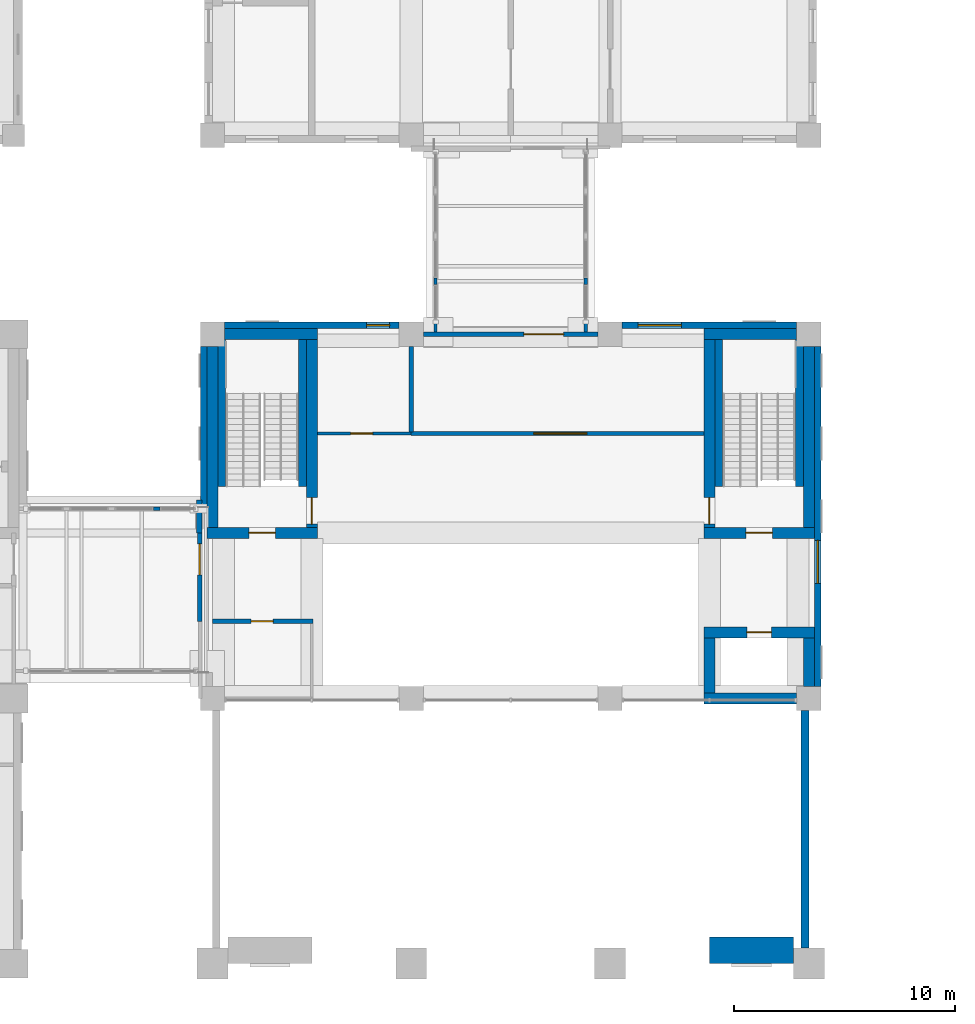
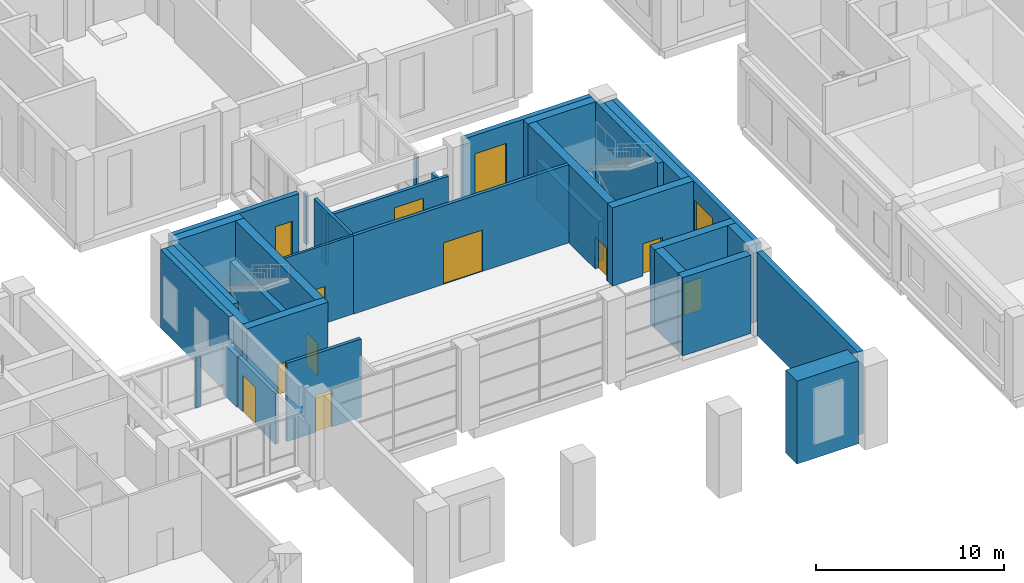
# One storey, part 29 of 52: 34 walls, 10 doors, 3 windows, 13 openings.
"""IFC4 building model written with IfcOpenShell, lengths in metres."""

from ifc_helpers import new_model, si_unit, direction, frame, frame_2d, origin, place, context, subcontext, project, spatial, rectangle, extrude, material, layer, layer_set, type_object, element, fill, save


model = new_model("IFC4")

# Units and contexts
model_context = context("Model", 3, precision=1e-05, world=origin(), true_north=direction((0.0, 1.0)))
body_context = subcontext(model_context, "Body", "Model", "MODEL_VIEW")
ifc_project = project(units=[si_unit("LENGTHUNIT", "METRE"), si_unit("AREAUNIT", "SQUARE_METRE"), si_unit("VOLUMEUNIT", "CUBIC_METRE"), si_unit("PLANEANGLEUNIT", "RADIAN"), si_unit("MASSUNIT", "GRAM", prefix="KILO")], contexts=[model_context])

# Site, building, storey
site_placement = place(None, origin())
site = spatial("IfcSite", under=ifc_project, at=site_placement, CompositionType="ELEMENT")
building_placement = place(site_placement, origin())
building = spatial("IfcBuilding", under=site, at=building_placement, Name="Aurelan Courthouse", CompositionType="ELEMENT")
storey_placement = place(building_placement, frame((0.0, 0.0, 6.60009765625)))
storey = spatial("IfcBuildingStorey", under=building, at=storey_placement, Name="L01", CompositionType="ELEMENT", Elevation=6.60009765625)

# Wall, opening, window
ifc_material_1 = material(Name="Limestone cladding", Category="masonry")
ifc_layer_1 = layer(ifc_material_1, 0.0849609375, Name="Facing")
ifc_material_2 = material(Name="Ventilated cavity")
ifc_layer_2 = layer(ifc_material_2, 0.02490234375, ventilated=True, Name="Ventilated cavity")
ifc_material_3 = material(Name="Mineral wool insulation")
ifc_layer_3 = layer(ifc_material_3, 0.044921875, Name="Insulation")
ifc_material_4 = material(Name="Concrete C30", Category="concrete")
ifc_layer_4 = layer(ifc_material_4, 0.14501953125, Name="Structure")
ifc_layer_set_1 = layer_set([ifc_layer_1, ifc_layer_2, ifc_layer_3, ifc_layer_4], Name="Concrete C30")
wall_type_1 = type_object("IfcWallType", Name="Ceremonial Court stone-faced wall 300", PredefinedType="SOLIDWALL", material=ifc_layer_set_1)
wall_1_placement = place(storey_placement, frame((36.550048828125, 28.89990234375, 0.0), z_axis=(0.0, 0.0, 1.0), x_axis=(1.0, 0.0, 0.0)))
wall_1 = element("IfcWall", 1, at=wall_1_placement, inside=storey, type_object=wall_type_1, Name="Facade wall FW-V1-L01-001", PredefinedType="SOLIDWALL", context=body_context, shape_type="SweptSolid", body=[
    extrude(rectangle(XDim=7.89990234375, YDim=0.300048828125, at=frame_2d((3.949951171875, 0.0))), origin(), (0.0, 0.0, 1.0), 5.099853515625),
])
opening_1_placement = place(wall_1_placement, frame((6.425048828125, 0.0, 1.050048828125)))
opening_1 = element("IfcOpeningElement", 2, at=opening_1_placement, cuts=wall_1, Name="Opening WN-V1-L01-001", PredefinedType="OPENING", context=body_context, shape_type="SweptSolid", body=[
    extrude(rectangle(XDim=1.050048828125, YDim=2.39990234375, at=frame_2d((0.52490234375, 1.199951171875))), frame((0.0, 0.159912109375, 0.0), z_axis=(0.0, -1.0, 0.0), x_axis=(1.0, 0.0, 0.0)), (0.0, 0.0, 1.0), 0.320068359375),
])
ifc_material_5 = material(Name="Bronze-finished aluminium and glass", Category="aluminium")
window_type_1 = type_object("IfcWindowType", Name="Ceremonial Court window 1050 x 2400, sill 1050", PartitioningType="SINGLE_PANEL", PredefinedType="WINDOW", material=ifc_material_5)
window_1_placement = place(opening_1_placement, origin())
window_1 = element("IfcWindow", 3, at=window_1_placement, inside=storey, type_object=window_type_1, Name="Window WN-V1-L01-001", OverallHeight=2.39990234375, OverallWidth=1.050048828125, PartitioningType="SINGLE_PANEL", PredefinedType="WINDOW", context=body_context, shape_type="SweptSolid", body=[
    extrude(rectangle(XDim=1.050048828125, YDim=2.39990234375, at=frame_2d((0.52490234375, 1.199951171875))), frame((0.0, 0.030029296875, 0.0), z_axis=(0.0, -1.0, 0.0), x_axis=(1.0, 0.0, 0.0)), (0.0, 0.0, 1.0), 0.06005859375),
])
fill(opening_1, window_1)

wall_2_placement = place(storey_placement, frame((54.550048828125, 28.89990234375, 0.0), z_axis=(0.0, 0.0, 1.0), x_axis=(1.0, 0.0, 0.0)))
wall_2 = element("IfcWall", 4, at=wall_2_placement, inside=storey, type_object=wall_type_1, Name="Facade wall FW-V1-L01-002", PredefinedType="SOLIDWALL", context=body_context, shape_type="SweptSolid", body=[
    extrude(rectangle(XDim=7.89990234375, YDim=0.300048828125, at=frame_2d((3.949951171875, 0.0))), origin(), (0.0, 0.0, 1.0), 5.099853515625),
])
opening_2_placement = place(wall_2_placement, frame((0.72509765625, 0.0, 0.89990234375)))
opening_2 = element("IfcOpeningElement", 5, at=opening_2_placement, cuts=wall_2, Name="Opening WN-V1-L01-002", PredefinedType="OPENING", context=body_context, shape_type="SweptSolid", body=[
    extrude(rectangle(XDim=1.949951171875, YDim=3.0, at=frame_2d((0.97509765625, 1.5))), frame((0.0, 0.159912109375, 0.0), z_axis=(0.0, -1.0, 0.0), x_axis=(1.0, 0.0, 0.0)), (0.0, 0.0, 1.0), 0.320068359375),
])
window_type_2 = type_object("IfcWindowType", Name="Ceremonial Court window 1950 x 3000, sill 900", PartitioningType="SINGLE_PANEL", PredefinedType="WINDOW", material=ifc_material_5)
window_2_placement = place(opening_2_placement, origin())
window_2 = element("IfcWindow", 6, at=window_2_placement, inside=storey, type_object=window_type_2, Name="Window WN-V1-L01-002", OverallHeight=3.0, OverallWidth=1.949951171875, PartitioningType="SINGLE_PANEL", PredefinedType="WINDOW", context=body_context, shape_type="SweptSolid", body=[
    extrude(rectangle(XDim=1.949951171875, YDim=3.0, at=frame_2d((0.97509765625, 1.5))), frame((0.0, 0.030029296875, 0.0), z_axis=(0.0, -1.0, 0.0), x_axis=(1.0, 0.0, 0.0)), (0.0, 0.0, 1.0), 0.06005859375),
])
fill(opening_2, window_2)

wall_3_placement = place(storey_placement, frame((63.39990234375, 12.550048828125, 0.0), z_axis=(0.0, 0.0, 1.0), x_axis=(0.0, 1.0, 0.0)))
wall_3 = element("IfcWall", 7, at=wall_3_placement, inside=storey, type_object=wall_type_1, Name="Facade wall FW-V1-L01-003", PredefinedType="SOLIDWALL", context=body_context, shape_type="SweptSolid", body=[
    extrude(rectangle(XDim=15.39990234375, YDim=0.300048828125, at=frame_2d((7.699951171875, 0.0))), origin(), (0.0, 0.0, 1.0), 5.099853515625),
])
opening_3_placement = place(wall_3_placement, frame((4.66259765625, 0.0, 0.89990234375)))
opening_3 = element("IfcOpeningElement", 8, at=opening_3_placement, cuts=wall_3, Name="Opening WN-V1-L01-003", PredefinedType="OPENING", context=body_context, shape_type="SweptSolid", body=[
    extrude(rectangle(XDim=1.949951171875, YDim=3.0, at=frame_2d((0.97509765625, 1.5))), frame((0.0, 0.159912109375, 0.0), z_axis=(0.0, -1.0, 0.0), x_axis=(1.0, 0.0, 0.0)), (0.0, 0.0, 1.0), 0.320068359375),
])
window_3_placement = place(opening_3_placement, origin())
window_3 = element("IfcWindow", 9, at=window_3_placement, inside=storey, type_object=window_type_2, Name="Window WN-V1-L01-003", OverallHeight=3.0, OverallWidth=1.949951171875, PartitioningType="SINGLE_PANEL", PredefinedType="WINDOW", context=body_context, shape_type="SweptSolid", body=[
    extrude(rectangle(XDim=1.949951171875, YDim=3.0, at=frame_2d((0.97509765625, 1.5))), frame((0.0, 0.030029296875, 0.0), z_axis=(0.0, -1.0, 0.0), x_axis=(1.0, 0.0, 0.0)), (0.0, 0.0, 1.0), 0.06005859375),
])
fill(opening_3, window_3)

# Wall
wall_4_placement = place(storey_placement, frame((35.60009765625, 20.675048828125, 0.0), z_axis=(0.0, 0.0, 1.0), x_axis=(0.0, 1.0, 0.0)))
element("IfcWall", 10, at=wall_4_placement, inside=storey, type_object=wall_type_1, Name="Facade wall FW-V1-L01-005", PredefinedType="SOLIDWALL", context=body_context, shape_type="SweptSolid", body=[
    extrude(rectangle(XDim=7.27490234375, YDim=0.300048828125, at=frame_2d((3.637451171875, 0.0))), origin(), (0.0, 0.0, 1.0), 5.099853515625),
])

# Wall, opening, door
ifc_material_6 = material(Name="Gypsum board on metal studs")
ifc_layer_5 = layer(ifc_material_6, 0.14990234375)
ifc_layer_set_2 = layer_set([ifc_layer_5], Name="Gypsum board on metal studs")
wall_type_2 = type_object("IfcWallType", Name="Partition 150 NOT RATED", PredefinedType="PARTITIONING", material=ifc_layer_set_2)
wall_5_placement = place(storey_placement, frame((40.75, 24.0, 0.0), z_axis=(0.0, 0.0, 1.0), x_axis=(1.0, 0.0, 0.0)))
wall_5 = element("IfcWall", 11, at=wall_5_placement, inside=storey, type_object=wall_type_2, Name="Partition L01-024", PredefinedType="PARTITIONING", context=body_context, shape_type="SweptSolid", body=[
    extrude(rectangle(XDim=4.25, YDim=0.14990234375, at=frame_2d((2.125, 0.0))), origin(), (0.0, 0.0, 1.0), 5.099853515625),
])
opening_4_placement = place(wall_5_placement, frame((2.5, 0.0, 0.0), z_axis=(0.0, 0.0, 1.0), x_axis=(-1.0, 0.0, 0.0)))
opening_4 = element("IfcOpeningElement", 12, at=opening_4_placement, cuts=wall_5, Name="Opening D-L01-006", PredefinedType="OPENING", context=body_context, shape_type="SweptSolid", body=[
    extrude(rectangle(XDim=1.0, YDim=2.39990234375, at=frame_2d((0.5, 1.199951171875))), frame((0.0, 0.0849609375, 0.0), z_axis=(0.0, -1.0, 0.0), x_axis=(1.0, 0.0, 0.0)), (0.0, 0.0, 1.0), 0.169921875),
])
ifc_material_7 = material(Name="Timber", Category="wood")
door_type_1 = type_object("IfcDoorType", Name="Single door 1000 x 2400 NOT RATED", OperationType="SINGLE_SWING_LEFT", PredefinedType="DOOR", material=ifc_material_7)
door_1_placement = place(opening_4_placement, origin())
door_1 = element("IfcDoor", 13, at=door_1_placement, inside=storey, type_object=door_type_1, Name="Single door D-L01-006", OperationType="SINGLE_SWING_RIGHT", OverallHeight=2.39990234375, OverallWidth=1.0, PredefinedType="DOOR", context=body_context, shape_type="SweptSolid", body=[
    extrude(rectangle(XDim=1.0, YDim=2.39990234375, at=frame_2d((0.5, 1.199951171875))), frame((0.0, 0.02490234375, 0.0), z_axis=(0.0, -1.0, 0.0), x_axis=(1.0, 0.0, 0.0)), (0.0, 0.0, 1.0), 0.050048828125),
])
fill(opening_4, door_1)

# Walls
ifc_material_8 = material(Name="Concrete C40", Category="concrete")
ifc_layer_6 = layer(ifc_material_8, 0.14990234375)
ifc_layer_set_3 = layer_set([ifc_layer_6], Name="Concrete C40")
wall_type_3 = type_object("IfcWallType", Name="Passage end pier 150 x 550 x 3300", PredefinedType="SOLIDWALL", material=ifc_layer_set_3)
for number, where, z_axis, x_axis, name in (
    (14, (46.10009765625, 28.60009765625, 0.0), (0.0, 0.0, 1.0), (0.0, 1.0, 0.0), "Passage pier BR3-P01"),
    (15, (52.89990234375, 28.60009765625, 0.0), (0.0, 0.0, 1.0), (0.0, 1.0, 0.0), "Passage pier BR3-P06"),
):
    element("IfcWall", number, at=place(storey_placement, frame(where, z_axis=z_axis, x_axis=x_axis)), inside=storey, type_object=wall_type_3, Name=name, PredefinedType="SOLIDWALL", context=body_context, shape_type="SweptSolid", body=[
        extrude(rectangle(XDim=0.5498046875, YDim=0.14990234375, at=frame_2d((0.27490234375, 0.0))), origin(), (0.0, 0.0, 1.0), 3.2998046875),
    ])

# Wall, opening, door
ifc_material_9 = material(Name="Masonry block", Category="masonry")
ifc_layer_7 = layer(ifc_material_9, 0.199951171875)
ifc_layer_set_4 = layer_set([ifc_layer_7], Name="Masonry block")
wall_type_4 = type_object("IfcWallType", Name="Passage lobby wall 200 EI 60", PredefinedType="PARTITIONING", material=ifc_layer_set_4)
wall_6_placement = place(storey_placement, frame((36.0, 15.5, 0.0), z_axis=(0.0, 0.0, 1.0), x_axis=(1.0, 0.0, 0.0)))
wall_6 = element("IfcWall", 16, at=wall_6_placement, inside=storey, type_object=wall_type_4, Name="Passage lobby wall L01-015", PredefinedType="PARTITIONING", context=body_context, shape_type="SweptSolid", body=[
    extrude(rectangle(XDim=4.5625, YDim=0.199951171875, at=frame_2d((2.28125, 0.0))), origin(), (0.0, 0.0, 1.0), 5.099853515625),
])
opening_5_placement = place(wall_6_placement, frame((1.75, 0.0, 0.0)))
opening_5 = element("IfcOpeningElement", 17, at=opening_5_placement, cuts=wall_6, Name="Opening D-L01-002", PredefinedType="OPENING", context=body_context, shape_type="SweptSolid", body=[
    extrude(rectangle(XDim=1.0, YDim=2.39990234375, at=frame_2d((0.5, 1.199951171875))), frame((0.0, 0.10986328125, 0.0), z_axis=(0.0, -1.0, 0.0), x_axis=(1.0, 0.0, 0.0)), (0.0, 0.0, 1.0), 0.219970703125),
])
ifc_material_10 = material(Name="Steel", Category="steel")
door_type_2 = type_object("IfcDoorType", Name="Single door 1000 x 2400 FD60", OperationType="SINGLE_SWING_LEFT", PredefinedType="DOOR", material=ifc_material_10)
door_2_placement = place(opening_5_placement, origin())
door_2 = element("IfcDoor", 18, at=door_2_placement, inside=storey, type_object=door_type_2, Name="Single door D-L01-002", OperationType="SINGLE_SWING_LEFT", OverallHeight=2.39990234375, OverallWidth=1.0, PredefinedType="DOOR", context=body_context, shape_type="SweptSolid", body=[
    extrude(rectangle(XDim=1.0, YDim=2.39990234375, at=frame_2d((0.5, 1.199951171875))), frame((0.0, 0.02490234375, 0.0), z_axis=(0.0, -1.0, 0.0), x_axis=(1.0, 0.0, 0.0)), (0.0, 0.0, 1.0), 0.050048828125),
])
fill(opening_5, door_2)

wall_7_placement = place(storey_placement, frame((45.0, 24.0, 0.0), z_axis=(0.0, 0.0, 1.0), x_axis=(1.0, 0.0, 0.0)))
wall_7 = element("IfcWall", 19, at=wall_7_placement, inside=storey, type_object=wall_type_4, Name="Passage lobby wall L01-025", PredefinedType="PARTITIONING", context=body_context, shape_type="SweptSolid", body=[
    extrude(rectangle(XDim=13.25, YDim=0.199951171875, at=frame_2d((6.625, 0.0))), origin(), (0.0, 0.0, 1.0), 5.099853515625),
])
opening_6_placement = place(wall_7_placement, frame((7.949951171875, 0.0, 0.0), z_axis=(0.0, 0.0, 1.0), x_axis=(-1.0, 0.0, 0.0)))
opening_6 = element("IfcOpeningElement", 20, at=opening_6_placement, cuts=wall_7, Name="Opening D-L01-007", PredefinedType="OPENING", context=body_context, shape_type="SweptSolid", body=[
    extrude(rectangle(XDim=2.39990234375, YDim=2.699951171875, at=frame_2d((1.199951171875, 1.35009765625))), frame((0.0, 0.10986328125, 0.0), z_axis=(0.0, -1.0, 0.0), x_axis=(1.0, 0.0, 0.0)), (0.0, 0.0, 1.0), 0.219970703125),
])
door_type_3 = type_object("IfcDoorType", Name="Double door 2400 x 2700 FD60", OperationType="DOUBLE_DOOR_SINGLE_SWING", PredefinedType="DOOR", material=ifc_material_10)
door_3_placement = place(opening_6_placement, origin())
door_3 = element("IfcDoor", 21, at=door_3_placement, inside=storey, type_object=door_type_3, Name="Double door D-L01-007", OperationType="DOUBLE_DOOR_SINGLE_SWING", OverallHeight=2.699951171875, OverallWidth=2.39990234375, PredefinedType="DOOR", context=body_context, shape_type="SweptSolid", body=[
    extrude(rectangle(XDim=2.39990234375, YDim=2.699951171875, at=frame_2d((1.199951171875, 1.35009765625))), frame((0.0, 0.02490234375, 0.0), z_axis=(0.0, -1.0, 0.0), x_axis=(1.0, 0.0, 0.0)), (0.0, 0.0, 1.0), 0.050048828125),
])
fill(opening_6, door_3)

wall_8_placement = place(storey_placement, frame((45.550048828125, 28.5, 0.0), z_axis=(0.0, 0.0, 1.0), x_axis=(1.0, 0.0, 0.0)))
wall_8 = element("IfcWall", 22, at=wall_8_placement, inside=storey, type_object=wall_type_4, Name="Passage lobby wall L01-027", PredefinedType="PARTITIONING", context=body_context, shape_type="SweptSolid", body=[
    extrude(rectangle(XDim=7.89990234375, YDim=0.199951171875, at=frame_2d((3.949951171875, 0.0))), origin(), (0.0, 0.0, 1.0), 3.2998046875),
])
opening_7_placement = place(wall_8_placement, frame((6.35009765625, 0.0, 0.0), z_axis=(0.0, 0.0, 1.0), x_axis=(-1.0, 0.0, 0.0)))
opening_7 = element("IfcOpeningElement", 23, at=opening_7_placement, cuts=wall_8, Name="Opening D-L01-120", PredefinedType="OPENING", context=body_context, shape_type="SweptSolid", body=[
    extrude(rectangle(XDim=1.800048828125, YDim=2.39990234375, at=frame_2d((0.89990234375, 1.199951171875))), frame((0.0, 0.10986328125, 0.0), z_axis=(0.0, -1.0, 0.0), x_axis=(1.0, 0.0, 0.0)), (0.0, 0.0, 1.0), 0.219970703125),
])
door_type_4 = type_object("IfcDoorType", Name="Double door 1800 x 2400 FD60", OperationType="DOUBLE_DOOR_SINGLE_SWING", PredefinedType="DOOR", material=ifc_material_10)
door_4_placement = place(opening_7_placement, origin())
door_4 = element("IfcDoor", 24, at=door_4_placement, inside=storey, type_object=door_type_4, Name="Double door D-L01-120", OperationType="DOUBLE_DOOR_SINGLE_SWING", OverallHeight=2.39990234375, OverallWidth=1.800048828125, PredefinedType="DOOR", context=body_context, shape_type="SweptSolid", body=[
    extrude(rectangle(XDim=1.800048828125, YDim=2.39990234375, at=frame_2d((0.89990234375, 1.199951171875))), frame((0.0, 0.02490234375, 0.0), z_axis=(0.0, -1.0, 0.0), x_axis=(1.0, 0.0, 0.0)), (0.0, 0.0, 1.0), 0.050048828125),
])
fill(opening_7, door_4)

wall_9_placement = place(storey_placement, frame((35.425048828125, 15.5, 0.0), z_axis=(0.0, 0.0, 1.0), x_axis=(0.0, 1.0, 0.0)))
wall_9 = element("IfcWall", 25, at=wall_9_placement, inside=storey, type_object=wall_type_4, Name="Passage lobby wall L01-089", PredefinedType="PARTITIONING", context=body_context, shape_type="SweptSolid", body=[
    extrude(rectangle(XDim=4.0, YDim=0.199951171875, at=frame_2d((2.0, 0.0))), origin(), (0.0, 0.0, 1.0), 3.2998046875),
])
opening_8_placement = place(wall_9_placement, frame((3.5, 0.0, 0.0), z_axis=(0.0, 0.0, 1.0), x_axis=(-1.0, 0.0, 0.0)))
opening_8 = element("IfcOpeningElement", 26, at=opening_8_placement, cuts=wall_9, Name="Opening D-L01-119", PredefinedType="OPENING", context=body_context, shape_type="SweptSolid", body=[
    extrude(rectangle(XDim=1.39990234375, YDim=2.39990234375, at=frame_2d((0.699951171875, 1.199951171875))), frame((0.0, 0.10986328125, 0.0), z_axis=(0.0, -1.0, 0.0), x_axis=(1.0, 0.0, 0.0)), (0.0, 0.0, 1.0), 0.219970703125),
])
door_type_5 = type_object("IfcDoorType", Name="Double door 1400 x 2400 FD60", OperationType="DOUBLE_DOOR_SINGLE_SWING", PredefinedType="DOOR", material=ifc_material_10)
door_5_placement = place(opening_8_placement, origin())
door_5 = element("IfcDoor", 27, at=door_5_placement, inside=storey, type_object=door_type_5, Name="Double door D-L01-119", OperationType="DOUBLE_DOOR_SINGLE_SWING", OverallHeight=2.39990234375, OverallWidth=1.39990234375, PredefinedType="DOOR", context=body_context, shape_type="SweptSolid", body=[
    extrude(rectangle(XDim=1.39990234375, YDim=2.39990234375, at=frame_2d((0.699951171875, 1.199951171875))), frame((0.0, 0.02490234375, 0.0), z_axis=(0.0, -1.0, 0.0), x_axis=(1.0, 0.0, 0.0)), (0.0, 0.0, 1.0), 0.050048828125),
])
fill(opening_8, door_5)

# Walls
wall_10_placement = place(storey_placement, frame((45.0, 24.074951171875, 0.0), z_axis=(0.0, 0.0, 1.0), x_axis=(0.0, 1.0, 0.0)))
element("IfcWall", 28, at=wall_10_placement, inside=storey, type_object=wall_type_4, Name="Passage lobby wall L01-095", PredefinedType="PARTITIONING", context=body_context, shape_type="SweptSolid", body=[
    extrude(rectangle(XDim=3.875, YDim=0.199951171875, at=frame_2d((1.9375, 0.0))), origin(), (0.0, 0.0, 1.0), 5.099853515625),
])
ifc_layer_8 = layer(ifc_material_8, 0.14990234375)
ifc_layer_set_5 = layer_set([ifc_layer_8], Name="Concrete C40")
wall_type_5 = type_object("IfcWallType", Name="Passage pier 150 x 300 x 3300", PredefinedType="SOLIDWALL", material=ifc_layer_set_5)
wall_11_placement = place(storey_placement, frame((33.331298828125, 20.60009765625, 0.0), z_axis=(0.0, 0.0, 1.0), x_axis=(1.0, 0.0, 0.0)))
element("IfcWall", 29, at=wall_11_placement, inside=storey, type_object=wall_type_5, Name="Passage pier BR1-P09", PredefinedType="SOLIDWALL", context=body_context, shape_type="SweptSolid", body=[
    extrude(rectangle(XDim=0.300048828125, YDim=0.14990234375, at=frame_2d((0.14990234375, 0.0))), origin(), (0.0, 0.0, 1.0), 3.2998046875),
])
for number, where, z_axis, x_axis, name in (
    (30, (46.10009765625, 30.743896484375, 0.0), (0.0, 0.0, 1.0), (0.0, 1.0, 0.0), "Passage pier BR3-P02"),
    (31, (52.89990234375, 30.743896484375, 0.0), (0.0, 0.0, 1.0), (0.0, 1.0, 0.0), "Passage pier BR3-P07"),
):
    element("IfcWall", number, at=place(storey_placement, frame(where, z_axis=z_axis, x_axis=x_axis)), inside=storey, type_object=wall_type_5, Name=name, PredefinedType="SOLIDWALL", context=body_context, shape_type="SweptSolid", body=[
        extrude(rectangle(XDim=0.2998046875, YDim=0.14990234375, at=frame_2d((0.14990234375, 0.0))), origin(), (0.0, 0.0, 1.0), 3.2998046875),
    ])
ifc_material_11 = material(Name="Concrete C50", Category="concrete")
ifc_layer_9 = layer(ifc_material_11, 0.5)
ifc_layer_set_6 = layer_set([ifc_layer_9], Name="Concrete C50")
wall_type_6 = type_object("IfcWallType", Name="RC shear wall 500", PredefinedType="SHEAR", material=ifc_layer_set_6)
wall_12_placement = place(storey_placement, frame((58.25, 12.0, 0.0), z_axis=(0.0, 0.0, 1.0), x_axis=(1.0, 0.0, 0.0)))
element("IfcWall", 32, at=wall_12_placement, inside=storey, type_object=wall_type_6, Name="Core wall SW-L01-001", PredefinedType="SHEAR", context=body_context, shape_type="SweptSolid", body=[
    extrude(rectangle(XDim=4.199951171875, YDim=0.5, at=frame_2d((2.10009765625, 0.0))), origin(), (0.0, 0.0, 1.0), 5.099853515625),
])
wall_13_placement = place(storey_placement, frame((58.5, 12.25, 0.0), z_axis=(0.0, 0.0, 1.0), x_axis=(0.0, 1.0, 0.0)))
element("IfcWall", 33, at=wall_13_placement, inside=storey, type_object=wall_type_6, Name="Core wall SW-L01-002", PredefinedType="SHEAR", context=body_context, shape_type="SweptSolid", body=[
    extrude(rectangle(XDim=2.5, YDim=0.5, at=frame_2d((1.25, 0.0))), origin(), (0.0, 0.0, 1.0), 5.099853515625),
])
wall_14_placement = place(storey_placement, frame((63.0, 12.550048828125, 0.0), z_axis=(0.0, 0.0, 1.0), x_axis=(0.0, 1.0, 0.0)))
element("IfcWall", 34, at=wall_14_placement, inside=storey, type_object=wall_type_6, Name="Core wall SW-L01-003", PredefinedType="SHEAR", context=body_context, shape_type="SweptSolid", body=[
    extrude(rectangle(XDim=2.199951171875, YDim=0.5, at=frame_2d((1.10009765625, 0.0))), origin(), (0.0, 0.0, 1.0), 5.099853515625),
])

# Wall, opening, door
wall_15_placement = place(storey_placement, frame((58.25, 15.0, 0.0), z_axis=(0.0, 0.0, 1.0), x_axis=(1.0, 0.0, 0.0)))
wall_15 = element("IfcWall", 35, at=wall_15_placement, inside=storey, type_object=wall_type_6, Name="Core wall SW-L01-004", PredefinedType="SHEAR", context=body_context, shape_type="SweptSolid", body=[
    extrude(rectangle(XDim=5.0, YDim=0.5, at=frame_2d((2.5, 0.0))), origin(), (0.0, 0.0, 1.0), 5.099853515625),
])
opening_9_placement = place(wall_15_placement, frame((1.949951171875, 0.0, 0.0)))
opening_9 = element("IfcOpeningElement", 36, at=opening_9_placement, cuts=wall_15, Name="Opening LD-V1-A1-L01", PredefinedType="OPENING", context=body_context, shape_type="SweptSolid", body=[
    extrude(rectangle(XDim=1.10009765625, YDim=2.10009765625, at=frame_2d((0.550048828125, 1.050048828125))), frame((0.0, 0.260009765625, 0.0), z_axis=(0.0, -1.0, 0.0), x_axis=(1.0, 0.0, 0.0)), (0.0, 0.0, 1.0), 0.52001953125),
])
door_type_6 = type_object("IfcDoorType", Name="Lift landing door 1100 x 2100 FD90", OperationType="SLIDING_TO_LEFT", PredefinedType="DOOR", material=ifc_material_10)
door_6_placement = place(opening_9_placement, origin())
door_6 = element("IfcDoor", 37, at=door_6_placement, inside=storey, type_object=door_type_6, Name="Lift landing door LD-V1-A1-L01", OperationType="SLIDING_TO_LEFT", OverallHeight=2.10009765625, OverallWidth=1.10009765625, PredefinedType="DOOR", context=body_context, shape_type="SweptSolid", body=[
    extrude(rectangle(XDim=1.10009765625, YDim=2.10009765625, at=frame_2d((0.550048828125, 1.050048828125))), frame((0.0, 0.02490234375, 0.0), z_axis=(0.0, -1.0, 0.0), x_axis=(1.0, 0.0, 0.0)), (0.0, 0.0, 1.0), 0.050048828125),
])
fill(opening_9, door_6)

wall_16_placement = place(storey_placement, frame((35.75, 19.5, 0.0), z_axis=(0.0, 0.0, 1.0), x_axis=(1.0, 0.0, 0.0)))
wall_16 = element("IfcWall", 38, at=wall_16_placement, inside=storey, type_object=wall_type_6, Name="Core wall SW-L01-007", PredefinedType="SHEAR", context=body_context, shape_type="SweptSolid", body=[
    extrude(rectangle(XDim=5.0, YDim=0.5, at=frame_2d((2.5, 0.0))), origin(), (0.0, 0.0, 1.0), 5.099853515625),
])
opening_10_placement = place(wall_16_placement, frame((1.89990234375, 0.0, 0.0)))
opening_10 = element("IfcOpeningElement", 39, at=opening_10_placement, cuts=wall_16, Name="Opening D-L01-001", PredefinedType="OPENING", context=body_context, shape_type="SweptSolid", body=[
    extrude(rectangle(XDim=1.199951171875, YDim=2.10009765625, at=frame_2d((0.60009765625, 1.050048828125))), frame((0.0, 0.260009765625, 0.0), z_axis=(0.0, -1.0, 0.0), x_axis=(1.0, 0.0, 0.0)), (0.0, 0.0, 1.0), 0.52001953125),
])
door_type_7 = type_object("IfcDoorType", Name="Single door 1200 x 2100 FD90", OperationType="SINGLE_SWING_LEFT", PredefinedType="DOOR", material=ifc_material_10)
door_7_placement = place(opening_10_placement, origin())
door_7 = element("IfcDoor", 40, at=door_7_placement, inside=storey, type_object=door_type_7, Name="Single door D-L01-001", OperationType="SINGLE_SWING_RIGHT", OverallHeight=2.10009765625, OverallWidth=1.199951171875, PredefinedType="DOOR", context=body_context, shape_type="SweptSolid", body=[
    extrude(rectangle(XDim=1.199951171875, YDim=2.10009765625, at=frame_2d((0.60009765625, 1.050048828125))), frame((0.0, 0.02490234375, 0.0), z_axis=(0.0, -1.0, 0.0), x_axis=(1.0, 0.0, 0.0)), (0.0, 0.0, 1.0), 0.050048828125),
])
fill(opening_10, door_7)

wall_17_placement = place(storey_placement, frame((58.25, 19.5, 0.0), z_axis=(0.0, 0.0, 1.0), x_axis=(1.0, 0.0, 0.0)))
wall_17 = element("IfcWall", 41, at=wall_17_placement, inside=storey, type_object=wall_type_6, Name="Core wall SW-L01-008", PredefinedType="SHEAR", context=body_context, shape_type="SweptSolid", body=[
    extrude(rectangle(XDim=5.0, YDim=0.5, at=frame_2d((2.5, 0.0))), origin(), (0.0, 0.0, 1.0), 5.099853515625),
])
opening_11_placement = place(wall_17_placement, frame((1.89990234375, 0.0, 0.0)))
opening_11 = element("IfcOpeningElement", 42, at=opening_11_placement, cuts=wall_17, Name="Opening D-L01-003", PredefinedType="OPENING", context=body_context, shape_type="SweptSolid", body=[
    extrude(rectangle(XDim=1.199951171875, YDim=2.10009765625, at=frame_2d((0.60009765625, 1.050048828125))), frame((0.0, 0.260009765625, 0.0), z_axis=(0.0, -1.0, 0.0), x_axis=(1.0, 0.0, 0.0)), (0.0, 0.0, 1.0), 0.52001953125),
])
door_8_placement = place(opening_11_placement, origin())
door_8 = element("IfcDoor", 43, at=door_8_placement, inside=storey, type_object=door_type_7, Name="Single door D-L01-003", OperationType="SINGLE_SWING_RIGHT", OverallHeight=2.10009765625, OverallWidth=1.199951171875, PredefinedType="DOOR", context=body_context, shape_type="SweptSolid", body=[
    extrude(rectangle(XDim=1.199951171875, YDim=2.10009765625, at=frame_2d((0.60009765625, 1.050048828125))), frame((0.0, 0.02490234375, 0.0), z_axis=(0.0, -1.0, 0.0), x_axis=(1.0, 0.0, 0.0)), (0.0, 0.0, 1.0), 0.050048828125),
])
fill(opening_11, door_8)

# Wall
wall_18_placement = place(storey_placement, frame((36.0, 19.75, 0.0), z_axis=(0.0, 0.0, 1.0), x_axis=(0.0, 1.0, 0.0)))
element("IfcWall", 44, at=wall_18_placement, inside=storey, type_object=wall_type_6, Name="Core wall SW-L01-017", PredefinedType="SHEAR", context=body_context, shape_type="SweptSolid", body=[
    extrude(rectangle(XDim=8.199951171875, YDim=0.5, at=frame_2d((4.10009765625, 0.0))), origin(), (0.0, 0.0, 1.0), 5.099853515625),
])

# Wall, opening, door
wall_19_placement = place(storey_placement, frame((40.5, 19.75, 0.0), z_axis=(0.0, 0.0, 1.0), x_axis=(0.0, 1.0, 0.0)))
wall_19 = element("IfcWall", 45, at=wall_19_placement, inside=storey, type_object=wall_type_6, Name="Core wall SW-L01-018", PredefinedType="SHEAR", context=body_context, shape_type="SweptSolid", body=[
    extrude(rectangle(XDim=8.5, YDim=0.5, at=frame_2d((4.25, 0.0))), origin(), (0.0, 0.0, 1.0), 5.099853515625),
])
opening_12_placement = place(wall_19_placement, frame((0.14990234375, 0.0, 0.0)))
opening_12 = element("IfcOpeningElement", 46, at=opening_12_placement, cuts=wall_19, Name="Opening D-L01-004", PredefinedType="OPENING", context=body_context, shape_type="SweptSolid", body=[
    extrude(rectangle(XDim=1.199951171875, YDim=2.10009765625, at=frame_2d((0.60009765625, 1.050048828125))), frame((0.0, 0.260009765625, 0.0), z_axis=(0.0, -1.0, 0.0), x_axis=(1.0, 0.0, 0.0)), (0.0, 0.0, 1.0), 0.52001953125),
])
door_9_placement = place(opening_12_placement, origin())
door_9 = element("IfcDoor", 47, at=door_9_placement, inside=storey, type_object=door_type_7, Name="Single door D-L01-004", OperationType="SINGLE_SWING_LEFT", OverallHeight=2.10009765625, OverallWidth=1.199951171875, PredefinedType="DOOR", context=body_context, shape_type="SweptSolid", body=[
    extrude(rectangle(XDim=1.199951171875, YDim=2.10009765625, at=frame_2d((0.60009765625, 1.050048828125))), frame((0.0, 0.02490234375, 0.0), z_axis=(0.0, -1.0, 0.0), x_axis=(1.0, 0.0, 0.0)), (0.0, 0.0, 1.0), 0.050048828125),
])
fill(opening_12, door_9)

wall_20_placement = place(storey_placement, frame((58.5, 19.75, 0.0), z_axis=(0.0, 0.0, 1.0), x_axis=(0.0, 1.0, 0.0)))
wall_20 = element("IfcWall", 48, at=wall_20_placement, inside=storey, type_object=wall_type_6, Name="Core wall SW-L01-019", PredefinedType="SHEAR", context=body_context, shape_type="SweptSolid", body=[
    extrude(rectangle(XDim=8.5, YDim=0.5, at=frame_2d((4.25, 0.0))), origin(), (0.0, 0.0, 1.0), 5.099853515625),
])
opening_13_placement = place(wall_20_placement, frame((1.349853515625, 0.0, 0.0), z_axis=(0.0, 0.0, 1.0), x_axis=(-1.0, 0.0, 0.0)))
opening_13 = element("IfcOpeningElement", 49, at=opening_13_placement, cuts=wall_20, Name="Opening D-L01-005", PredefinedType="OPENING", context=body_context, shape_type="SweptSolid", body=[
    extrude(rectangle(XDim=1.199951171875, YDim=2.10009765625, at=frame_2d((0.60009765625, 1.050048828125))), frame((0.0, 0.260009765625, 0.0), z_axis=(0.0, -1.0, 0.0), x_axis=(1.0, 0.0, 0.0)), (0.0, 0.0, 1.0), 0.52001953125),
])
door_10_placement = place(opening_13_placement, origin())
door_10 = element("IfcDoor", 50, at=door_10_placement, inside=storey, type_object=door_type_7, Name="Single door D-L01-005", OperationType="SINGLE_SWING_RIGHT", OverallHeight=2.10009765625, OverallWidth=1.199951171875, PredefinedType="DOOR", context=body_context, shape_type="SweptSolid", body=[
    extrude(rectangle(XDim=1.199951171875, YDim=2.10009765625, at=frame_2d((0.60009765625, 1.050048828125))), frame((0.0, 0.02490234375, 0.0), z_axis=(0.0, -1.0, 0.0), x_axis=(1.0, 0.0, 0.0)), (0.0, 0.0, 1.0), 0.050048828125),
])
fill(opening_13, door_10)

# Walls
wall_21_placement = place(storey_placement, frame((63.0, 19.75, 0.0), z_axis=(0.0, 0.0, 1.0), x_axis=(0.0, 1.0, 0.0)))
element("IfcWall", 51, at=wall_21_placement, inside=storey, type_object=wall_type_6, Name="Core wall SW-L01-020", PredefinedType="SHEAR", context=body_context, shape_type="SweptSolid", body=[
    extrude(rectangle(XDim=8.199951171875, YDim=0.5, at=frame_2d((4.10009765625, 0.0))), origin(), (0.0, 0.0, 1.0), 5.099853515625),
])
for number, where, z_axis, x_axis, name in (
    (52, (36.550048828125, 28.5, 0.0), (0.0, 0.0, 1.0), (1.0, 0.0, 0.0), "Core wall SW-L01-034"),
    (53, (58.25, 28.5, 0.0), (0.0, 0.0, 1.0), (1.0, 0.0, 0.0), "Core wall SW-L01-035"),
):
    element("IfcWall", number, at=place(storey_placement, frame(where, z_axis=z_axis, x_axis=x_axis)), inside=storey, type_object=wall_type_6, Name=name, PredefinedType="SHEAR", context=body_context, shape_type="SweptSolid", body=[
        extrude(rectangle(XDim=4.199951171875, YDim=0.5, at=frame_2d((2.10009765625, 0.0))), origin(), (0.0, 0.0, 1.0), 5.099853515625),
    ])
ifc_layer_10 = layer(ifc_material_4, 0.25)
ifc_layer_set_7 = layer_set([ifc_layer_10], Name="Concrete C30")
wall_type_7 = type_object("IfcWallType", Name="Stair enclosure wall 250 EI 120 load-bearing", PredefinedType="SHEAR", material=ifc_layer_set_7)
wall_22_placement = place(storey_placement, frame((35.39990234375, 19.5, 0.0), z_axis=(0.0, 0.0, 1.0), x_axis=(0.0, 1.0, 0.0)))
element("IfcWall", 54, at=wall_22_placement, inside=storey, type_object=wall_type_7, Name="Stair enclosure wall L01-088", PredefinedType="SHEAR", context=body_context, shape_type="SweptSolid", body=[
    extrude(rectangle(XDim=1.5, YDim=0.25, at=frame_2d((0.75, 0.0))), origin(), (0.0, 0.0, 1.0), 3.2998046875),
])
ifc_layer_11 = layer(ifc_material_4, 0.35009765625)
ifc_layer_set_8 = layer_set([ifc_layer_11], Name="Concrete C30")
wall_type_8 = type_object("IfcWallType", Name="Stair well wall 350 EI 120 load-bearing", PredefinedType="SHEAR", material=ifc_layer_set_8)
wall_23_placement = place(storey_placement, frame((58.925048828125, 21.610107421875, 0.0), z_axis=(0.0, 0.0, 1.0), x_axis=(0.0, 1.0, 0.0)))
element("IfcWall", 55, at=wall_23_placement, inside=storey, type_object=wall_type_8, Name="Stair well wall ST-1E-L01 A", PredefinedType="SHEAR", context=body_context, shape_type="SweptSolid", body=[
    extrude(rectangle(XDim=6.639892578125, YDim=0.35009765625, at=frame_2d((3.31982421875, 0.0))), origin(), (0.0, 0.0, 1.0), 2.5869140625),
])
for number, where, z_axis, x_axis, name in (
    (56, (62.574951171875, 21.610107421875, 0.0), (0.0, 0.0, 1.0), (0.0, 1.0, 0.0), "Stair well wall ST-1E-L01 B"),
    (57, (36.425048828125, 21.610107421875, 0.0), (0.0, 0.0, 1.0), (0.0, 1.0, 0.0), "Stair well wall ST-1W-L01 A"),
):
    element("IfcWall", number, at=place(storey_placement, frame(where, z_axis=z_axis, x_axis=x_axis)), inside=storey, type_object=wall_type_8, Name=name, PredefinedType="SHEAR", context=body_context, shape_type="SweptSolid", body=[
        extrude(rectangle(XDim=6.639892578125, YDim=0.35009765625, at=frame_2d((3.31982421875, 0.0))), origin(), (0.0, 0.0, 1.0), 5.099853515625),
    ])
wall_24_placement = place(storey_placement, frame((40.074951171875, 21.610107421875, 0.0), z_axis=(0.0, 0.0, 1.0), x_axis=(0.0, 1.0, 0.0)))
element("IfcWall", 58, at=wall_24_placement, inside=storey, type_object=wall_type_8, Name="Stair well wall ST-1W-L01 B", PredefinedType="SHEAR", context=body_context, shape_type="SweptSolid", body=[
    extrude(rectangle(XDim=6.639892578125, YDim=0.35009765625, at=frame_2d((3.31982421875, 0.0))), origin(), (0.0, 0.0, 1.0), 2.5869140625),
])
ifc_layer_12 = layer(ifc_material_1, 0.344970703125, Name="Facing")
ifc_layer_13 = layer(ifc_material_2, 0.02490234375, ventilated=True, Name="Ventilated cavity")
ifc_layer_14 = layer(ifc_material_3, 0.169921875, Name="Insulation")
ifc_layer_15 = layer(ifc_material_4, 0.659912109375, Name="Structure")
ifc_layer_set_9 = layer_set([ifc_layer_12, ifc_layer_13, ifc_layer_14, ifc_layer_15], Name="Concrete C30")
wall_type_9 = type_object("IfcWallType", Name="Stone-faced wall 1200", PredefinedType="SOLIDWALL", material=ifc_layer_set_9)
wall_25_placement = place(storey_placement, frame((58.5, 0.60009765625, 0.0), z_axis=(0.0, 0.0, 1.0), x_axis=(1.0, 0.0, 0.0)))
element("IfcWall", 59, at=wall_25_placement, inside=storey, type_object=wall_type_9, Name="Loggia pylon FW-V1-L01-009", PredefinedType="SOLIDWALL", context=body_context, shape_type="SweptSolid", body=[
    extrude(rectangle(XDim=3.800048828125, YDim=1.199951171875, at=frame_2d((1.89990234375, 0.0))), origin(), (0.0, 0.0, 1.0), 5.39990234375),
])
ifc_layer_16 = layer(ifc_material_1, 0.10009765625, Name="Facing")
ifc_layer_17 = layer(ifc_material_2, 0.02490234375, ventilated=True, Name="Ventilated cavity")
ifc_layer_18 = layer(ifc_material_3, 0.050048828125, Name="Insulation")
ifc_layer_19 = layer(ifc_material_4, 0.175048828125, Name="Structure")
ifc_layer_set_10 = layer_set([ifc_layer_16, ifc_layer_17, ifc_layer_18, ifc_layer_19], Name="Concrete C30")
wall_type_10 = type_object("IfcWallType", Name="Stone-faced wall 350", PredefinedType="SOLIDWALL", material=ifc_layer_set_10)
wall_26_placement = place(storey_placement, frame((62.824951171875, 0.699951171875, 0.0), z_axis=(0.0, 0.0, 1.0), x_axis=(0.0, 1.0, 0.0)))
element("IfcWall", 60, at=wall_26_placement, inside=storey, type_object=wall_type_10, Name="Loggia side wall FW-V1-L01-007", PredefinedType="SOLIDWALL", context=body_context, shape_type="SweptSolid", body=[
    extrude(rectangle(XDim=10.75, YDim=0.35009765625, at=frame_2d((5.375, 0.0))), origin(), (0.0, 0.0, 1.0), 5.39990234375),
])

save(model, "model.ifc")
